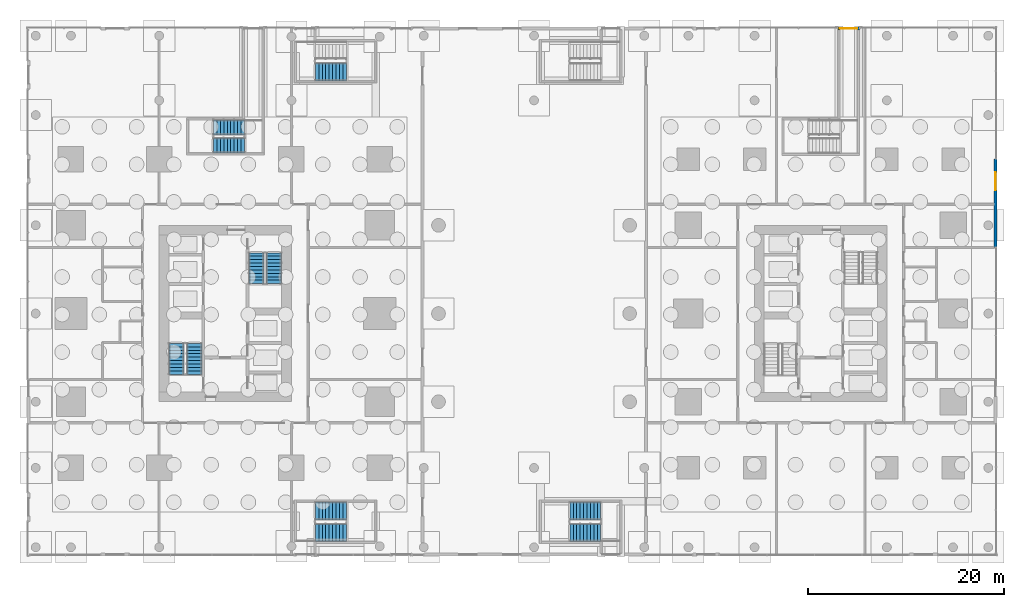
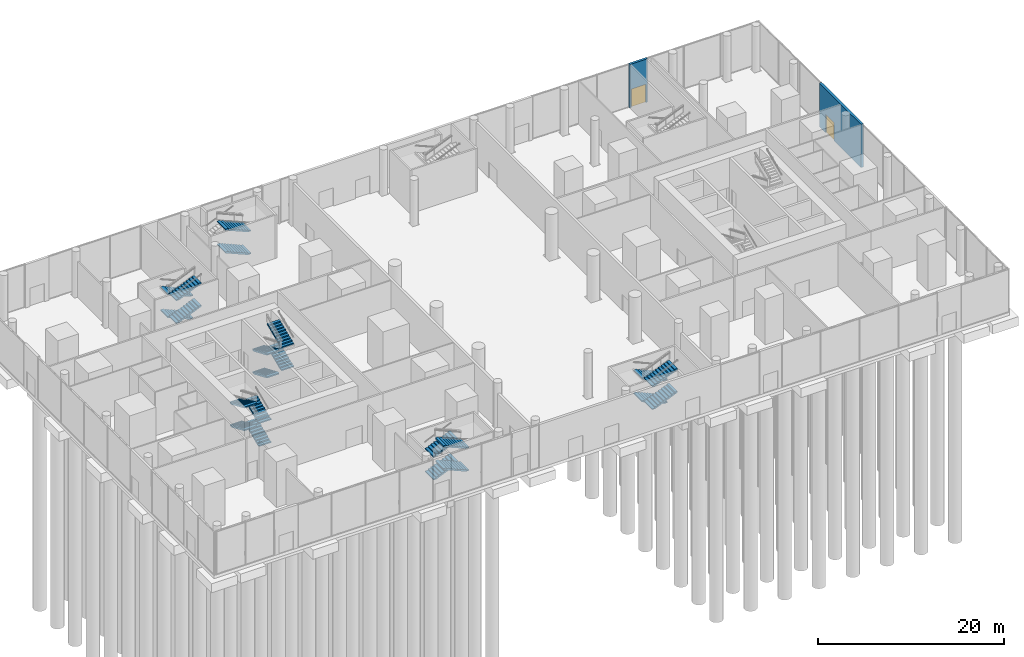
# One storey, part 23 of 31: 22 stair flights, 2 doors, 2 walls, 2 openings, 6 elements without a shape of their own.
"""IFC4 building model written with IfcOpenShell, lengths in metres."""

from ifc_helpers import new_model, si_unit, direction, frame, frame_2d, origin, place, context, subcontext, project, spatial, polyline, rectangle, outline, extrude, material, layer, layer_set, type_object, element, fill, aggregate, save


model = new_model("IFC4")

# Units and contexts
model_context = context("Model", 3, precision=1e-05, world=origin(), true_north=direction((0.0, 1.0)))
body_context = subcontext(model_context, "Body", "Model", "MODEL_VIEW")
ifc_project = project(units=[si_unit("LENGTHUNIT", "METRE"), si_unit("AREAUNIT", "SQUARE_METRE"), si_unit("VOLUMEUNIT", "CUBIC_METRE"), si_unit("PLANEANGLEUNIT", "RADIAN"), si_unit("MASSUNIT", "GRAM", prefix="KILO")], contexts=[model_context])

# Site, building, storey
site_placement = place(None, origin())
site = spatial("IfcSite", under=ifc_project, at=site_placement, CompositionType="ELEMENT")
building_placement = place(site_placement, origin())
building = spatial("IfcBuilding", under=site, at=building_placement, Name="Namib Vertical Campus", CompositionType="ELEMENT")
storey_placement = place(building_placement, origin())
storey = spatial("IfcBuildingStorey", under=building, at=storey_placement, Name="L00", CompositionType="ELEMENT", Elevation=0.0)

# Wall, opening, door
ifc_material_1 = material(Name="Concrete C40/50", Category="concrete")
ifc_layer = layer(ifc_material_1, 0.300048828125)
ifc_layer_set = layer_set([ifc_layer], Name="Concrete C40/50")
wall_type = type_object("IfcWallType", Name="External wall 300 board-marked concrete", PredefinedType="STANDARD", material=ifc_layer_set)
wall_1_placement = place(storey_placement, frame((98.85009765625, 27.0, 0.0), z_axis=(0.0, 0.0, 1.0), x_axis=(0.0, 1.0, 0.0)))
wall_1 = element("IfcWall", 1, at=wall_1_placement, inside=storey, type_object=wall_type, Name="External wall L00 entrance 4", PredefinedType="STANDARD", context=body_context, shape_type="SweptSolid", body=[
    extrude(rectangle(XDim=9.0, YDim=0.300048828125, at=frame_2d((4.5, 0.0))), origin(), (0.0, 0.0, 1.0), 5.699951171875),
])
opening_1_placement = place(wall_1_placement, frame((5.85009765625, 0.0, 0.0)))
opening_1 = element("IfcOpeningElement", 2, at=opening_1_placement, cuts=wall_1, Name="Opening ED1", PredefinedType="OPENING", context=body_context, shape_type="SweptSolid", body=[
    extrude(rectangle(XDim=1.800048828125, YDim=2.39990234375, at=frame_2d((0.89990234375, 1.199951171875))), frame((0.0, 0.159912109375, 0.0), z_axis=(0.0, -1.0, 0.0), x_axis=(1.0, 0.0, 0.0)), (0.0, 0.0, 1.0), 0.320068359375),
])
ifc_material_2 = material(Name="Black aluminium glazed door", Category="aluminium")
door_type = type_object("IfcDoorType", Name="Entrance door pair 1800x2400", OperationType="DOUBLE_DOOR_SINGLE_SWING", PredefinedType="DOOR", material=ifc_material_2)
door_1_placement = place(opening_1_placement, frame((1.800048828125, 0.0, 0.0), z_axis=(0.0, 0.0, 1.0), x_axis=(-1.0, 0.0, 0.0)))
door_1 = element("IfcDoor", 3, at=door_1_placement, inside=storey, type_object=door_type, Name="Entrance door ED1 4-1", OperationType="DOUBLE_DOOR_SINGLE_SWING", OverallHeight=2.39990234375, OverallWidth=1.800048828125, PredefinedType="DOOR", context=body_context, shape_type="SweptSolid", body=[
    extrude(rectangle(XDim=1.800048828125, YDim=2.39990234375, at=frame_2d((0.89990234375, 1.199951171875))), frame((0.0, 0.02490234375, 0.0), z_axis=(0.0, -1.0, 0.0), x_axis=(1.0, 0.0, 0.0)), (0.0, 0.0, 1.0), 0.050048828125),
])
fill(opening_1, door_1)

wall_2_placement = place(storey_placement, frame((84.949951171875, 49.35009765625, 0.0), z_axis=(0.0, 0.0, 1.0), x_axis=(-1.0, 0.0, 0.0)))
wall_2 = element("IfcWall", 4, at=wall_2_placement, inside=storey, type_object=wall_type, Name="External wall L00 entrance 14", PredefinedType="STANDARD", context=body_context, shape_type="SweptSolid", body=[
    extrude(rectangle(XDim=2.199951171875, YDim=0.300048828125, at=frame_2d((1.10009765625, 0.0))), origin(), (0.0, 0.0, 1.0), 5.699951171875),
])
opening_2_placement = place(wall_2_placement, frame((0.199951171875, 0.0, 0.0)))
opening_2 = element("IfcOpeningElement", 5, at=opening_2_placement, cuts=wall_2, Name="Opening ED1", PredefinedType="OPENING", context=body_context, shape_type="SweptSolid", body=[
    extrude(rectangle(XDim=1.800048828125, YDim=2.39990234375, at=frame_2d((0.89990234375, 1.199951171875))), frame((0.0, 0.159912109375, 0.0), z_axis=(0.0, -1.0, 0.0), x_axis=(1.0, 0.0, 0.0)), (0.0, 0.0, 1.0), 0.320068359375),
])
door_2_placement = place(opening_2_placement, frame((1.800048828125, 0.0, 0.0), z_axis=(0.0, 0.0, 1.0), x_axis=(-1.0, 0.0, 0.0)))
door_2 = element("IfcDoor", 6, at=door_2_placement, inside=storey, type_object=door_type, Name="Stair exit door ED1 B-S3", OperationType="DOUBLE_DOOR_SINGLE_SWING", OverallHeight=2.39990234375, OverallWidth=1.800048828125, PredefinedType="DOOR", context=body_context, shape_type="SweptSolid", body=[
    extrude(rectangle(XDim=1.800048828125, YDim=2.39990234375, at=frame_2d((0.89990234375, 1.199951171875))), frame((0.0, 0.02490234375, 0.0), z_axis=(0.0, -1.0, 0.0), x_axis=(1.0, 0.0, 0.0)), (0.0, 0.0, 1.0), 0.050048828125),
])
fill(opening_2, door_2)

# Stair, stair flights
ifc_material_3 = material(Name="Concrete C40/50 precast", Category="concrete")
stair_type_1 = type_object("IfcStairType", Name="Exit stair 6000 rise 40 risers 3350 wide", PredefinedType="HALF_TURN_STAIR", material=ifc_material_3)
stair_1_placement = place(storey_placement, origin())
stair_1 = element("IfcStair", 7, at=stair_1_placement, inside=storey, type_object=stair_type_1, Name="Exit stair A-S1 L00", PredefinedType="HALF_TURN_STAIR")
ifc_material_4 = material(Name="Concrete C40/50 precast", Category="concrete")
stair_flight_type_1 = type_object("IfcStairFlightType", Name="Stair flight 10 risers 150 1525 wide", PredefinedType="STRAIGHT", material=ifc_material_4)
stair_flight_1_placement = place(storey_placement, frame((17.08740234375, 14.050048828125, 0.0), z_axis=(0.0, 0.0, 1.0), x_axis=(0.0, 1.0, 0.0)))
stair_flight_1 = element("IfcStairFlight", 8, at=stair_flight_1_placement, type_object=stair_flight_type_1, Name="A-S1 flight 1", NumberOfRisers=10, NumberOfTreads=9, PredefinedType="STRAIGHT", RiserHeight=0.15, TreadLength=0.35, context=body_context, shape_type="SweptSolid", body=[
    extrude(outline(polyline([(0.0, 0.0), (0.0, 0.14990234375), (0.35009765625, 0.14990234375), (0.35009765625, 0.300048828125), (0.699951171875, 0.300048828125), (0.699951171875, 0.449951171875), (1.050048828125, 0.449951171875), (1.050048828125, 0.60009765625), (1.39990234375, 0.60009765625), (1.39990234375, 0.75), (1.75, 0.75), (1.75, 0.89990234375), (2.10009765625, 0.89990234375), (2.10009765625, 1.050048828125), (2.449951171875, 1.050048828125), (2.449951171875, 1.199951171875), (2.800048828125, 1.199951171875), (2.800048828125, 1.35009765625), (3.14990234375, 1.35009765625), (3.14990234375, 1.5), (3.14990234375, 1.18701171875), (0.380615234375, 0.0), (0.0, 0.0)])), frame((0.0, 0.762451171875, 0.0), z_axis=(0.0, -1.0, 0.0), x_axis=(1.0, 0.0, 0.0)), (0.0, 0.0, 1.0), 1.52490234375),
])
stair_flight_2_placement = place(storey_placement, frame((15.262451171875, 17.199951171875, 1.5), z_axis=(0.0, 0.0, 1.0), x_axis=(0.0, -1.0, 0.0)))
stair_flight_2 = element("IfcStairFlight", 9, at=stair_flight_2_placement, type_object=stair_flight_type_1, Name="A-S1 flight 2", NumberOfRisers=10, NumberOfTreads=9, PredefinedType="STRAIGHT", RiserHeight=0.15, TreadLength=0.35, context=body_context, shape_type="SweptSolid", body=[
    extrude(outline(polyline([(0.0, 0.0), (0.0, 0.14990234375), (0.35009765625, 0.14990234375), (0.35009765625, 0.300048828125), (0.699951171875, 0.300048828125), (0.699951171875, 0.449951171875), (1.050048828125, 0.449951171875), (1.050048828125, 0.60009765625), (1.39990234375, 0.60009765625), (1.39990234375, 0.75), (1.75, 0.75), (1.75, 0.89990234375), (2.10009765625, 0.89990234375), (2.10009765625, 1.050048828125), (2.449951171875, 1.050048828125), (2.449951171875, 1.199951171875), (2.800048828125, 1.199951171875), (2.800048828125, 1.35009765625), (3.14990234375, 1.35009765625), (3.14990234375, 1.5), (3.14990234375, 1.18701171875), (0.380615234375, 0.0), (0.0, 0.0)])), frame((0.0, 0.762451171875, 0.0), z_axis=(0.0, -1.0, 0.0), x_axis=(1.0, 0.0, 0.0)), (0.0, 0.0, 1.0), 1.52490234375),
])
stair_flight_3_placement = place(storey_placement, frame((17.08740234375, 14.050048828125, 3.0), z_axis=(0.0, 0.0, 1.0), x_axis=(0.0, 1.0, 0.0)))
stair_flight_3 = element("IfcStairFlight", 10, at=stair_flight_3_placement, type_object=stair_flight_type_1, Name="A-S1 flight 3", NumberOfRisers=10, NumberOfTreads=9, PredefinedType="STRAIGHT", RiserHeight=0.15, TreadLength=0.35, context=body_context, shape_type="SweptSolid", body=[
    extrude(outline(polyline([(0.0, 0.0), (0.0, 0.14990234375), (0.35009765625, 0.14990234375), (0.35009765625, 0.300048828125), (0.699951171875, 0.300048828125), (0.699951171875, 0.449951171875), (1.050048828125, 0.449951171875), (1.050048828125, 0.60009765625), (1.39990234375, 0.60009765625), (1.39990234375, 0.75), (1.75, 0.75), (1.75, 0.89990234375), (2.10009765625, 0.89990234375), (2.10009765625, 1.050048828125), (2.449951171875, 1.050048828125), (2.449951171875, 1.199951171875), (2.800048828125, 1.199951171875), (2.800048828125, 1.35009765625), (3.14990234375, 1.35009765625), (3.14990234375, 1.5), (3.14990234375, 1.18701171875), (0.380615234375, 0.0), (0.0, 0.0)])), frame((0.0, 0.762451171875, 0.0), z_axis=(0.0, -1.0, 0.0), x_axis=(1.0, 0.0, 0.0)), (0.0, 0.0, 1.0), 1.52490234375),
])
stair_flight_4_placement = place(storey_placement, frame((15.262451171875, 17.199951171875, 4.5), z_axis=(0.0, 0.0, 1.0), x_axis=(0.0, -1.0, 0.0)))
stair_flight_4 = element("IfcStairFlight", 11, at=stair_flight_4_placement, type_object=stair_flight_type_1, Name="A-S1 flight 4", NumberOfRisers=10, NumberOfTreads=9, PredefinedType="STRAIGHT", RiserHeight=0.15, TreadLength=0.35, context=body_context, shape_type="SweptSolid", body=[
    extrude(outline(polyline([(0.0, 0.0), (0.0, 0.14990234375), (0.35009765625, 0.14990234375), (0.35009765625, 0.300048828125), (0.699951171875, 0.300048828125), (0.699951171875, 0.449951171875), (1.050048828125, 0.449951171875), (1.050048828125, 0.60009765625), (1.39990234375, 0.60009765625), (1.39990234375, 0.75), (1.75, 0.75), (1.75, 0.89990234375), (2.10009765625, 0.89990234375), (2.10009765625, 1.050048828125), (2.449951171875, 1.050048828125), (2.449951171875, 1.199951171875), (2.800048828125, 1.199951171875), (2.800048828125, 1.35009765625), (3.14990234375, 1.35009765625), (3.14990234375, 1.5), (3.14990234375, 1.18701171875), (0.380615234375, 0.0), (0.0, 0.0)])), frame((0.0, 0.762451171875, 0.0), z_axis=(0.0, -1.0, 0.0), x_axis=(1.0, 0.0, 0.0)), (0.0, 0.0, 1.0), 1.52490234375),
])
aggregate(stair_1, [stair_flight_1, stair_flight_2, stair_flight_3, stair_flight_4])

stair_2_placement = place(storey_placement, origin())
stair_2 = element("IfcStair", 12, at=stair_2_placement, inside=storey, type_object=stair_type_1, Name="Exit stair A-S2 L00", PredefinedType="HALF_TURN_STAIR")
stair_flight_5_placement = place(storey_placement, frame((23.41259765625, 26.449951171875, 0.0), z_axis=(0.0, 0.0, 1.0), x_axis=(0.0, -1.0, 0.0)))
stair_flight_5 = element("IfcStairFlight", 13, at=stair_flight_5_placement, type_object=stair_flight_type_1, Name="A-S2 flight 1", NumberOfRisers=10, NumberOfTreads=9, PredefinedType="STRAIGHT", RiserHeight=0.15, TreadLength=0.35, context=body_context, shape_type="SweptSolid", body=[
    extrude(outline(polyline([(0.0, 0.0), (0.0, 0.14990234375), (0.35009765625, 0.14990234375), (0.35009765625, 0.300048828125), (0.699951171875, 0.300048828125), (0.699951171875, 0.449951171875), (1.050048828125, 0.449951171875), (1.050048828125, 0.60009765625), (1.39990234375, 0.60009765625), (1.39990234375, 0.75), (1.75, 0.75), (1.75, 0.89990234375), (2.10009765625, 0.89990234375), (2.10009765625, 1.050048828125), (2.449951171875, 1.050048828125), (2.449951171875, 1.199951171875), (2.800048828125, 1.199951171875), (2.800048828125, 1.35009765625), (3.14990234375, 1.35009765625), (3.14990234375, 1.5), (3.14990234375, 1.18701171875), (0.380615234375, 0.0), (0.0, 0.0)])), frame((0.0, 0.762451171875, 0.0), z_axis=(0.0, -1.0, 0.0), x_axis=(1.0, 0.0, 0.0)), (0.0, 0.0, 1.0), 1.52490234375),
])
stair_flight_6_placement = place(storey_placement, frame((25.237548828125, 23.300048828125, 1.5), z_axis=(0.0, 0.0, 1.0), x_axis=(0.0, 1.0, 0.0)))
stair_flight_6 = element("IfcStairFlight", 14, at=stair_flight_6_placement, type_object=stair_flight_type_1, Name="A-S2 flight 2", NumberOfRisers=10, NumberOfTreads=9, PredefinedType="STRAIGHT", RiserHeight=0.15, TreadLength=0.35, context=body_context, shape_type="SweptSolid", body=[
    extrude(outline(polyline([(0.0, 0.0), (0.0, 0.14990234375), (0.35009765625, 0.14990234375), (0.35009765625, 0.300048828125), (0.699951171875, 0.300048828125), (0.699951171875, 0.449951171875), (1.050048828125, 0.449951171875), (1.050048828125, 0.60009765625), (1.39990234375, 0.60009765625), (1.39990234375, 0.75), (1.75, 0.75), (1.75, 0.89990234375), (2.10009765625, 0.89990234375), (2.10009765625, 1.050048828125), (2.449951171875, 1.050048828125), (2.449951171875, 1.199951171875), (2.800048828125, 1.199951171875), (2.800048828125, 1.35009765625), (3.14990234375, 1.35009765625), (3.14990234375, 1.5), (3.14990234375, 1.18701171875), (0.380615234375, 0.0), (0.0, 0.0)])), frame((0.0, 0.762451171875, 0.0), z_axis=(0.0, -1.0, 0.0), x_axis=(1.0, 0.0, 0.0)), (0.0, 0.0, 1.0), 1.52490234375),
])
stair_flight_7_placement = place(storey_placement, frame((23.41259765625, 26.449951171875, 3.0), z_axis=(0.0, 0.0, 1.0), x_axis=(0.0, -1.0, 0.0)))
stair_flight_7 = element("IfcStairFlight", 15, at=stair_flight_7_placement, type_object=stair_flight_type_1, Name="A-S2 flight 3", NumberOfRisers=10, NumberOfTreads=9, PredefinedType="STRAIGHT", RiserHeight=0.15, TreadLength=0.35, context=body_context, shape_type="SweptSolid", body=[
    extrude(outline(polyline([(0.0, 0.0), (0.0, 0.14990234375), (0.35009765625, 0.14990234375), (0.35009765625, 0.300048828125), (0.699951171875, 0.300048828125), (0.699951171875, 0.449951171875), (1.050048828125, 0.449951171875), (1.050048828125, 0.60009765625), (1.39990234375, 0.60009765625), (1.39990234375, 0.75), (1.75, 0.75), (1.75, 0.89990234375), (2.10009765625, 0.89990234375), (2.10009765625, 1.050048828125), (2.449951171875, 1.050048828125), (2.449951171875, 1.199951171875), (2.800048828125, 1.199951171875), (2.800048828125, 1.35009765625), (3.14990234375, 1.35009765625), (3.14990234375, 1.5), (3.14990234375, 1.18701171875), (0.380615234375, 0.0), (0.0, 0.0)])), frame((0.0, 0.762451171875, 0.0), z_axis=(0.0, -1.0, 0.0), x_axis=(1.0, 0.0, 0.0)), (0.0, 0.0, 1.0), 1.52490234375),
])
stair_flight_8_placement = place(storey_placement, frame((25.237548828125, 23.300048828125, 4.5), z_axis=(0.0, 0.0, 1.0), x_axis=(0.0, 1.0, 0.0)))
stair_flight_8 = element("IfcStairFlight", 16, at=stair_flight_8_placement, type_object=stair_flight_type_1, Name="A-S2 flight 4", NumberOfRisers=10, NumberOfTreads=9, PredefinedType="STRAIGHT", RiserHeight=0.15, TreadLength=0.35, context=body_context, shape_type="SweptSolid", body=[
    extrude(outline(polyline([(0.0, 0.0), (0.0, 0.14990234375), (0.35009765625, 0.14990234375), (0.35009765625, 0.300048828125), (0.699951171875, 0.300048828125), (0.699951171875, 0.449951171875), (1.050048828125, 0.449951171875), (1.050048828125, 0.60009765625), (1.39990234375, 0.60009765625), (1.39990234375, 0.75), (1.75, 0.75), (1.75, 0.89990234375), (2.10009765625, 0.89990234375), (2.10009765625, 1.050048828125), (2.449951171875, 1.050048828125), (2.449951171875, 1.199951171875), (2.800048828125, 1.199951171875), (2.800048828125, 1.35009765625), (3.14990234375, 1.35009765625), (3.14990234375, 1.5), (3.14990234375, 1.18701171875), (0.380615234375, 0.0), (0.0, 0.0)])), frame((0.0, 0.762451171875, 0.0), z_axis=(0.0, -1.0, 0.0), x_axis=(1.0, 0.0, 0.0)), (0.0, 0.0, 1.0), 1.52490234375),
])
aggregate(stair_2, [stair_flight_5, stair_flight_6, stair_flight_7, stair_flight_8])

stair_3_placement = place(storey_placement, origin())
stair_3 = element("IfcStair", 17, at=stair_3_placement, inside=storey, type_object=stair_type_1, Name="Exit stair A-S3 L00", PredefinedType="HALF_TURN_STAIR")
stair_flight_9_placement = place(storey_placement, frame((22.199951171875, 39.237548828125, 0.0), z_axis=(0.0, 0.0, 1.0), x_axis=(-1.0, 0.0, 0.0)))
stair_flight_9 = element("IfcStairFlight", 18, at=stair_flight_9_placement, type_object=stair_flight_type_1, Name="A-S3 flight 1", NumberOfRisers=10, NumberOfTreads=9, PredefinedType="STRAIGHT", RiserHeight=0.15, TreadLength=0.35, context=body_context, shape_type="SweptSolid", body=[
    extrude(outline(polyline([(0.0, 0.0), (0.0, 0.14990234375), (0.35009765625, 0.14990234375), (0.35009765625, 0.300048828125), (0.699951171875, 0.300048828125), (0.699951171875, 0.449951171875), (1.050048828125, 0.449951171875), (1.050048828125, 0.60009765625), (1.39990234375, 0.60009765625), (1.39990234375, 0.75), (1.75, 0.75), (1.75, 0.89990234375), (2.10009765625, 0.89990234375), (2.10009765625, 1.050048828125), (2.449951171875, 1.050048828125), (2.449951171875, 1.199951171875), (2.800048828125, 1.199951171875), (2.800048828125, 1.35009765625), (3.14990234375, 1.35009765625), (3.14990234375, 1.5), (3.14990234375, 1.18701171875), (0.380615234375, 0.0), (0.0, 0.0)])), frame((0.0, 0.762451171875, 0.0), z_axis=(0.0, -1.0, 0.0), x_axis=(1.0, 0.0, 0.0)), (0.0, 0.0, 1.0), 1.52490234375),
])
stair_flight_10_placement = place(storey_placement, frame((19.050048828125, 37.41259765625, 1.5), z_axis=(0.0, 0.0, 1.0), x_axis=(1.0, 0.0, 0.0)))
stair_flight_10 = element("IfcStairFlight", 19, at=stair_flight_10_placement, type_object=stair_flight_type_1, Name="A-S3 flight 2", NumberOfRisers=10, NumberOfTreads=9, PredefinedType="STRAIGHT", RiserHeight=0.15, TreadLength=0.35, context=body_context, shape_type="SweptSolid", body=[
    extrude(outline(polyline([(0.0, 0.0), (0.0, 0.14990234375), (0.35009765625, 0.14990234375), (0.35009765625, 0.300048828125), (0.699951171875, 0.300048828125), (0.699951171875, 0.449951171875), (1.050048828125, 0.449951171875), (1.050048828125, 0.60009765625), (1.39990234375, 0.60009765625), (1.39990234375, 0.75), (1.75, 0.75), (1.75, 0.89990234375), (2.10009765625, 0.89990234375), (2.10009765625, 1.050048828125), (2.449951171875, 1.050048828125), (2.449951171875, 1.199951171875), (2.800048828125, 1.199951171875), (2.800048828125, 1.35009765625), (3.14990234375, 1.35009765625), (3.14990234375, 1.5), (3.14990234375, 1.18701171875), (0.380615234375, 0.0), (0.0, 0.0)])), frame((0.0, 0.762451171875, 0.0), z_axis=(0.0, -1.0, 0.0), x_axis=(1.0, 0.0, 0.0)), (0.0, 0.0, 1.0), 1.52490234375),
])
stair_flight_11_placement = place(storey_placement, frame((22.199951171875, 39.237548828125, 3.0), z_axis=(0.0, 0.0, 1.0), x_axis=(-1.0, 0.0, 0.0)))
stair_flight_11 = element("IfcStairFlight", 20, at=stair_flight_11_placement, type_object=stair_flight_type_1, Name="A-S3 flight 3", NumberOfRisers=10, NumberOfTreads=9, PredefinedType="STRAIGHT", RiserHeight=0.15, TreadLength=0.35, context=body_context, shape_type="SweptSolid", body=[
    extrude(outline(polyline([(0.0, 0.0), (0.0, 0.14990234375), (0.35009765625, 0.14990234375), (0.35009765625, 0.300048828125), (0.699951171875, 0.300048828125), (0.699951171875, 0.449951171875), (1.050048828125, 0.449951171875), (1.050048828125, 0.60009765625), (1.39990234375, 0.60009765625), (1.39990234375, 0.75), (1.75, 0.75), (1.75, 0.89990234375), (2.10009765625, 0.89990234375), (2.10009765625, 1.050048828125), (2.449951171875, 1.050048828125), (2.449951171875, 1.199951171875), (2.800048828125, 1.199951171875), (2.800048828125, 1.35009765625), (3.14990234375, 1.35009765625), (3.14990234375, 1.5), (3.14990234375, 1.18701171875), (0.380615234375, 0.0), (0.0, 0.0)])), frame((0.0, 0.762451171875, 0.0), z_axis=(0.0, -1.0, 0.0), x_axis=(1.0, 0.0, 0.0)), (0.0, 0.0, 1.0), 1.52490234375),
])
stair_flight_12_placement = place(storey_placement, frame((19.050048828125, 37.41259765625, 4.5), z_axis=(0.0, 0.0, 1.0), x_axis=(1.0, 0.0, 0.0)))
stair_flight_12 = element("IfcStairFlight", 21, at=stair_flight_12_placement, type_object=stair_flight_type_1, Name="A-S3 flight 4", NumberOfRisers=10, NumberOfTreads=9, PredefinedType="STRAIGHT", RiserHeight=0.15, TreadLength=0.35, context=body_context, shape_type="SweptSolid", body=[
    extrude(outline(polyline([(0.0, 0.0), (0.0, 0.14990234375), (0.35009765625, 0.14990234375), (0.35009765625, 0.300048828125), (0.699951171875, 0.300048828125), (0.699951171875, 0.449951171875), (1.050048828125, 0.449951171875), (1.050048828125, 0.60009765625), (1.39990234375, 0.60009765625), (1.39990234375, 0.75), (1.75, 0.75), (1.75, 0.89990234375), (2.10009765625, 0.89990234375), (2.10009765625, 1.050048828125), (2.449951171875, 1.050048828125), (2.449951171875, 1.199951171875), (2.800048828125, 1.199951171875), (2.800048828125, 1.35009765625), (3.14990234375, 1.35009765625), (3.14990234375, 1.5), (3.14990234375, 1.18701171875), (0.380615234375, 0.0), (0.0, 0.0)])), frame((0.0, 0.762451171875, 0.0), z_axis=(0.0, -1.0, 0.0), x_axis=(1.0, 0.0, 0.0)), (0.0, 0.0, 1.0), 1.52490234375),
])
aggregate(stair_3, [stair_flight_9, stair_flight_10, stair_flight_11, stair_flight_12])

ifc_material_5 = material(Name="Concrete C40/50 precast", Category="concrete")
stair_type_2 = type_object("IfcStairType", Name="Podium exit stair 6000 rise 40 risers 1800 flights", PredefinedType="HALF_TURN_STAIR", material=ifc_material_5)
stair_4_placement = place(storey_placement, origin())
stair_4 = element("IfcStair", 22, at=stair_4_placement, inside=storey, type_object=stair_type_2, Name="Exit stair P-S1 L00", PredefinedType="HALF_TURN_STAIR")
ifc_material_6 = material(Name="Concrete C40/50 precast", Category="concrete")
stair_flight_type_2 = type_object("IfcStairFlightType", Name="Stair flight 10 risers 150 1800 wide", PredefinedType="STRAIGHT", material=ifc_material_6)
stair_flight_13_placement = place(storey_placement, frame((32.59619140625, 44.89990234375, 1.5), z_axis=(0.0, 0.0, 1.0), x_axis=(-1.0, 0.0, 0.0)))
stair_flight_13 = element("IfcStairFlight", 23, at=stair_flight_13_placement, type_object=stair_flight_type_2, Name="P-S1 flight 2", NumberOfRisers=10, NumberOfTreads=9, PredefinedType="STRAIGHT", RiserHeight=0.15, TreadLength=0.35, context=body_context, shape_type="SweptSolid", body=[
    extrude(outline(polyline([(0.0, 0.0), (0.0, 0.14990234375), (0.35009765625, 0.14990234375), (0.35009765625, 0.300048828125), (0.699951171875, 0.300048828125), (0.699951171875, 0.449951171875), (1.050048828125, 0.449951171875), (1.050048828125, 0.60009765625), (1.39990234375, 0.60009765625), (1.39990234375, 0.75), (1.75, 0.75), (1.75, 0.89990234375), (2.10009765625, 0.89990234375), (2.10009765625, 1.050048828125), (2.449951171875, 1.050048828125), (2.449951171875, 1.199951171875), (2.800048828125, 1.199951171875), (2.800048828125, 1.35009765625), (3.14990234375, 1.35009765625), (3.14990234375, 1.5), (3.14990234375, 1.18701171875), (0.380615234375, 0.0), (0.0, 0.0)])), frame((0.0, 0.89990234375, 0.0), z_axis=(0.0, -1.0, 0.0), x_axis=(1.0, 0.0, 0.0)), (0.0, 0.0, 1.0), 1.800048828125),
])
stair_flight_14_placement = place(storey_placement, frame((32.59619140625, 44.89990234375, 4.5), z_axis=(0.0, 0.0, 1.0), x_axis=(-1.0, 0.0, 0.0)))
stair_flight_14 = element("IfcStairFlight", 24, at=stair_flight_14_placement, type_object=stair_flight_type_2, Name="P-S1 flight 4", NumberOfRisers=10, NumberOfTreads=9, PredefinedType="STRAIGHT", RiserHeight=0.15, TreadLength=0.35, context=body_context, shape_type="SweptSolid", body=[
    extrude(outline(polyline([(0.0, 0.0), (0.0, 0.14990234375), (0.35009765625, 0.14990234375), (0.35009765625, 0.300048828125), (0.699951171875, 0.300048828125), (0.699951171875, 0.449951171875), (1.050048828125, 0.449951171875), (1.050048828125, 0.60009765625), (1.39990234375, 0.60009765625), (1.39990234375, 0.75), (1.75, 0.75), (1.75, 0.89990234375), (2.10009765625, 0.89990234375), (2.10009765625, 1.050048828125), (2.449951171875, 1.050048828125), (2.449951171875, 1.199951171875), (2.800048828125, 1.199951171875), (2.800048828125, 1.35009765625), (3.14990234375, 1.35009765625), (3.14990234375, 1.5), (3.14990234375, 1.18701171875), (0.380615234375, 0.0), (0.0, 0.0)])), frame((0.0, 0.89990234375, 0.0), z_axis=(0.0, -1.0, 0.0), x_axis=(1.0, 0.0, 0.0)), (0.0, 0.0, 1.0), 1.800048828125),
])
aggregate(stair_4, [stair_flight_13, stair_flight_14])

stair_5_placement = place(storey_placement, origin())
stair_5 = element("IfcStair", 25, at=stair_5_placement, inside=storey, type_object=stair_type_2, Name="Exit stair P-S2 L00", PredefinedType="HALF_TURN_STAIR")
stair_flight_15_placement = place(storey_placement, frame((29.446044921875, 0.10009765625, 0.0), z_axis=(0.0, 0.0, 1.0), x_axis=(1.0, 0.0, 0.0)))
stair_flight_15 = element("IfcStairFlight", 26, at=stair_flight_15_placement, type_object=stair_flight_type_2, Name="P-S2 flight 1", NumberOfRisers=10, NumberOfTreads=9, PredefinedType="STRAIGHT", RiserHeight=0.15, TreadLength=0.35, context=body_context, shape_type="SweptSolid", body=[
    extrude(outline(polyline([(0.0, 0.0), (0.0, 0.14990234375), (0.35009765625, 0.14990234375), (0.35009765625, 0.300048828125), (0.699951171875, 0.300048828125), (0.699951171875, 0.449951171875), (1.050048828125, 0.449951171875), (1.050048828125, 0.60009765625), (1.39990234375, 0.60009765625), (1.39990234375, 0.75), (1.75, 0.75), (1.75, 0.89990234375), (2.10009765625, 0.89990234375), (2.10009765625, 1.050048828125), (2.449951171875, 1.050048828125), (2.449951171875, 1.199951171875), (2.800048828125, 1.199951171875), (2.800048828125, 1.35009765625), (3.14990234375, 1.35009765625), (3.14990234375, 1.5), (3.14990234375, 1.18701171875), (0.380615234375, 0.0), (0.0, 0.0)])), frame((0.0, 0.89990234375, 0.0), z_axis=(0.0, -1.0, 0.0), x_axis=(1.0, 0.0, 0.0)), (0.0, 0.0, 1.0), 1.800048828125),
])
stair_flight_16_placement = place(storey_placement, frame((32.59619140625, -2.10009765625, 1.5), z_axis=(0.0, 0.0, 1.0), x_axis=(-1.0, 0.0, 0.0)))
stair_flight_16 = element("IfcStairFlight", 27, at=stair_flight_16_placement, type_object=stair_flight_type_2, Name="P-S2 flight 2", NumberOfRisers=10, NumberOfTreads=9, PredefinedType="STRAIGHT", RiserHeight=0.15, TreadLength=0.35, context=body_context, shape_type="SweptSolid", body=[
    extrude(outline(polyline([(0.0, 0.0), (0.0, 0.14990234375), (0.35009765625, 0.14990234375), (0.35009765625, 0.300048828125), (0.699951171875, 0.300048828125), (0.699951171875, 0.449951171875), (1.050048828125, 0.449951171875), (1.050048828125, 0.60009765625), (1.39990234375, 0.60009765625), (1.39990234375, 0.75), (1.75, 0.75), (1.75, 0.89990234375), (2.10009765625, 0.89990234375), (2.10009765625, 1.050048828125), (2.449951171875, 1.050048828125), (2.449951171875, 1.199951171875), (2.800048828125, 1.199951171875), (2.800048828125, 1.35009765625), (3.14990234375, 1.35009765625), (3.14990234375, 1.5), (3.14990234375, 1.18701171875), (0.380615234375, 0.0), (0.0, 0.0)])), frame((0.0, 0.89990234375, 0.0), z_axis=(0.0, -1.0, 0.0), x_axis=(1.0, 0.0, 0.0)), (0.0, 0.0, 1.0), 1.800048828125),
])
stair_flight_17_placement = place(storey_placement, frame((29.446044921875, 0.10009765625, 3.0), z_axis=(0.0, 0.0, 1.0), x_axis=(1.0, 0.0, 0.0)))
stair_flight_17 = element("IfcStairFlight", 28, at=stair_flight_17_placement, type_object=stair_flight_type_2, Name="P-S2 flight 3", NumberOfRisers=10, NumberOfTreads=9, PredefinedType="STRAIGHT", RiserHeight=0.15, TreadLength=0.35, context=body_context, shape_type="SweptSolid", body=[
    extrude(outline(polyline([(0.0, 0.0), (0.0, 0.14990234375), (0.35009765625, 0.14990234375), (0.35009765625, 0.300048828125), (0.699951171875, 0.300048828125), (0.699951171875, 0.449951171875), (1.050048828125, 0.449951171875), (1.050048828125, 0.60009765625), (1.39990234375, 0.60009765625), (1.39990234375, 0.75), (1.75, 0.75), (1.75, 0.89990234375), (2.10009765625, 0.89990234375), (2.10009765625, 1.050048828125), (2.449951171875, 1.050048828125), (2.449951171875, 1.199951171875), (2.800048828125, 1.199951171875), (2.800048828125, 1.35009765625), (3.14990234375, 1.35009765625), (3.14990234375, 1.5), (3.14990234375, 1.18701171875), (0.380615234375, 0.0), (0.0, 0.0)])), frame((0.0, 0.89990234375, 0.0), z_axis=(0.0, -1.0, 0.0), x_axis=(1.0, 0.0, 0.0)), (0.0, 0.0, 1.0), 1.800048828125),
])
stair_flight_18_placement = place(storey_placement, frame((32.59619140625, -2.10009765625, 4.5), z_axis=(0.0, 0.0, 1.0), x_axis=(-1.0, 0.0, 0.0)))
stair_flight_18 = element("IfcStairFlight", 29, at=stair_flight_18_placement, type_object=stair_flight_type_2, Name="P-S2 flight 4", NumberOfRisers=10, NumberOfTreads=9, PredefinedType="STRAIGHT", RiserHeight=0.15, TreadLength=0.35, context=body_context, shape_type="SweptSolid", body=[
    extrude(outline(polyline([(0.0, 0.0), (0.0, 0.14990234375), (0.35009765625, 0.14990234375), (0.35009765625, 0.300048828125), (0.699951171875, 0.300048828125), (0.699951171875, 0.449951171875), (1.050048828125, 0.449951171875), (1.050048828125, 0.60009765625), (1.39990234375, 0.60009765625), (1.39990234375, 0.75), (1.75, 0.75), (1.75, 0.89990234375), (2.10009765625, 0.89990234375), (2.10009765625, 1.050048828125), (2.449951171875, 1.050048828125), (2.449951171875, 1.199951171875), (2.800048828125, 1.199951171875), (2.800048828125, 1.35009765625), (3.14990234375, 1.35009765625), (3.14990234375, 1.5), (3.14990234375, 1.18701171875), (0.380615234375, 0.0), (0.0, 0.0)])), frame((0.0, 0.89990234375, 0.0), z_axis=(0.0, -1.0, 0.0), x_axis=(1.0, 0.0, 0.0)), (0.0, 0.0, 1.0), 1.800048828125),
])
aggregate(stair_5, [stair_flight_15, stair_flight_16, stair_flight_17, stair_flight_18])

stair_6_placement = place(storey_placement, origin())
stair_6 = element("IfcStair", 30, at=stair_6_placement, inside=storey, type_object=stair_type_2, Name="Exit stair P-S4 L00", PredefinedType="HALF_TURN_STAIR")
stair_flight_19_placement = place(storey_placement, frame((58.553955078125, 0.10009765625, 0.0), z_axis=(0.0, 0.0, 1.0), x_axis=(-1.0, 0.0, 0.0)))
stair_flight_19 = element("IfcStairFlight", 31, at=stair_flight_19_placement, type_object=stair_flight_type_2, Name="P-S4 flight 1", NumberOfRisers=10, NumberOfTreads=9, PredefinedType="STRAIGHT", RiserHeight=0.15, TreadLength=0.35, context=body_context, shape_type="SweptSolid", body=[
    extrude(outline(polyline([(0.0, 0.0), (0.0, 0.14990234375), (0.35009765625, 0.14990234375), (0.35009765625, 0.300048828125), (0.699951171875, 0.300048828125), (0.699951171875, 0.449951171875), (1.050048828125, 0.449951171875), (1.050048828125, 0.60009765625), (1.39990234375, 0.60009765625), (1.39990234375, 0.75), (1.75, 0.75), (1.75, 0.89990234375), (2.10009765625, 0.89990234375), (2.10009765625, 1.050048828125), (2.449951171875, 1.050048828125), (2.449951171875, 1.199951171875), (2.800048828125, 1.199951171875), (2.800048828125, 1.35009765625), (3.14990234375, 1.35009765625), (3.14990234375, 1.5), (3.14990234375, 1.18701171875), (0.380615234375, 0.0), (0.0, 0.0)])), frame((0.0, 0.89990234375, 0.0), z_axis=(0.0, -1.0, 0.0), x_axis=(1.0, 0.0, 0.0)), (0.0, 0.0, 1.0), 1.800048828125),
])
stair_flight_20_placement = place(storey_placement, frame((55.40380859375, -2.10009765625, 1.5), z_axis=(0.0, 0.0, 1.0), x_axis=(1.0, 0.0, 0.0)))
stair_flight_20 = element("IfcStairFlight", 32, at=stair_flight_20_placement, type_object=stair_flight_type_2, Name="P-S4 flight 2", NumberOfRisers=10, NumberOfTreads=9, PredefinedType="STRAIGHT", RiserHeight=0.15, TreadLength=0.35, context=body_context, shape_type="SweptSolid", body=[
    extrude(outline(polyline([(0.0, 0.0), (0.0, 0.14990234375), (0.35009765625, 0.14990234375), (0.35009765625, 0.300048828125), (0.699951171875, 0.300048828125), (0.699951171875, 0.449951171875), (1.050048828125, 0.449951171875), (1.050048828125, 0.60009765625), (1.39990234375, 0.60009765625), (1.39990234375, 0.75), (1.75, 0.75), (1.75, 0.89990234375), (2.10009765625, 0.89990234375), (2.10009765625, 1.050048828125), (2.449951171875, 1.050048828125), (2.449951171875, 1.199951171875), (2.800048828125, 1.199951171875), (2.800048828125, 1.35009765625), (3.14990234375, 1.35009765625), (3.14990234375, 1.5), (3.14990234375, 1.18701171875), (0.380615234375, 0.0), (0.0, 0.0)])), frame((0.0, 0.89990234375, 0.0), z_axis=(0.0, -1.0, 0.0), x_axis=(1.0, 0.0, 0.0)), (0.0, 0.0, 1.0), 1.800048828125),
])
stair_flight_21_placement = place(storey_placement, frame((58.553955078125, 0.10009765625, 3.0), z_axis=(0.0, 0.0, 1.0), x_axis=(-1.0, 0.0, 0.0)))
stair_flight_21 = element("IfcStairFlight", 33, at=stair_flight_21_placement, type_object=stair_flight_type_2, Name="P-S4 flight 3", NumberOfRisers=10, NumberOfTreads=9, PredefinedType="STRAIGHT", RiserHeight=0.15, TreadLength=0.35, context=body_context, shape_type="SweptSolid", body=[
    extrude(outline(polyline([(0.0, 0.0), (0.0, 0.14990234375), (0.35009765625, 0.14990234375), (0.35009765625, 0.300048828125), (0.699951171875, 0.300048828125), (0.699951171875, 0.449951171875), (1.050048828125, 0.449951171875), (1.050048828125, 0.60009765625), (1.39990234375, 0.60009765625), (1.39990234375, 0.75), (1.75, 0.75), (1.75, 0.89990234375), (2.10009765625, 0.89990234375), (2.10009765625, 1.050048828125), (2.449951171875, 1.050048828125), (2.449951171875, 1.199951171875), (2.800048828125, 1.199951171875), (2.800048828125, 1.35009765625), (3.14990234375, 1.35009765625), (3.14990234375, 1.5), (3.14990234375, 1.18701171875), (0.380615234375, 0.0), (0.0, 0.0)])), frame((0.0, 0.89990234375, 0.0), z_axis=(0.0, -1.0, 0.0), x_axis=(1.0, 0.0, 0.0)), (0.0, 0.0, 1.0), 1.800048828125),
])
stair_flight_22_placement = place(storey_placement, frame((55.40380859375, -2.10009765625, 4.5), z_axis=(0.0, 0.0, 1.0), x_axis=(1.0, 0.0, 0.0)))
stair_flight_22 = element("IfcStairFlight", 34, at=stair_flight_22_placement, type_object=stair_flight_type_2, Name="P-S4 flight 4", NumberOfRisers=10, NumberOfTreads=9, PredefinedType="STRAIGHT", RiserHeight=0.15, TreadLength=0.35, context=body_context, shape_type="SweptSolid", body=[
    extrude(outline(polyline([(0.0, 0.0), (0.0, 0.14990234375), (0.35009765625, 0.14990234375), (0.35009765625, 0.300048828125), (0.699951171875, 0.300048828125), (0.699951171875, 0.449951171875), (1.050048828125, 0.449951171875), (1.050048828125, 0.60009765625), (1.39990234375, 0.60009765625), (1.39990234375, 0.75), (1.75, 0.75), (1.75, 0.89990234375), (2.10009765625, 0.89990234375), (2.10009765625, 1.050048828125), (2.449951171875, 1.050048828125), (2.449951171875, 1.199951171875), (2.800048828125, 1.199951171875), (2.800048828125, 1.35009765625), (3.14990234375, 1.35009765625), (3.14990234375, 1.5), (3.14990234375, 1.18701171875), (0.380615234375, 0.0), (0.0, 0.0)])), frame((0.0, 0.89990234375, 0.0), z_axis=(0.0, -1.0, 0.0), x_axis=(1.0, 0.0, 0.0)), (0.0, 0.0, 1.0), 1.800048828125),
])
aggregate(stair_6, [stair_flight_19, stair_flight_20, stair_flight_21, stair_flight_22])

save(model, "model.ifc")
